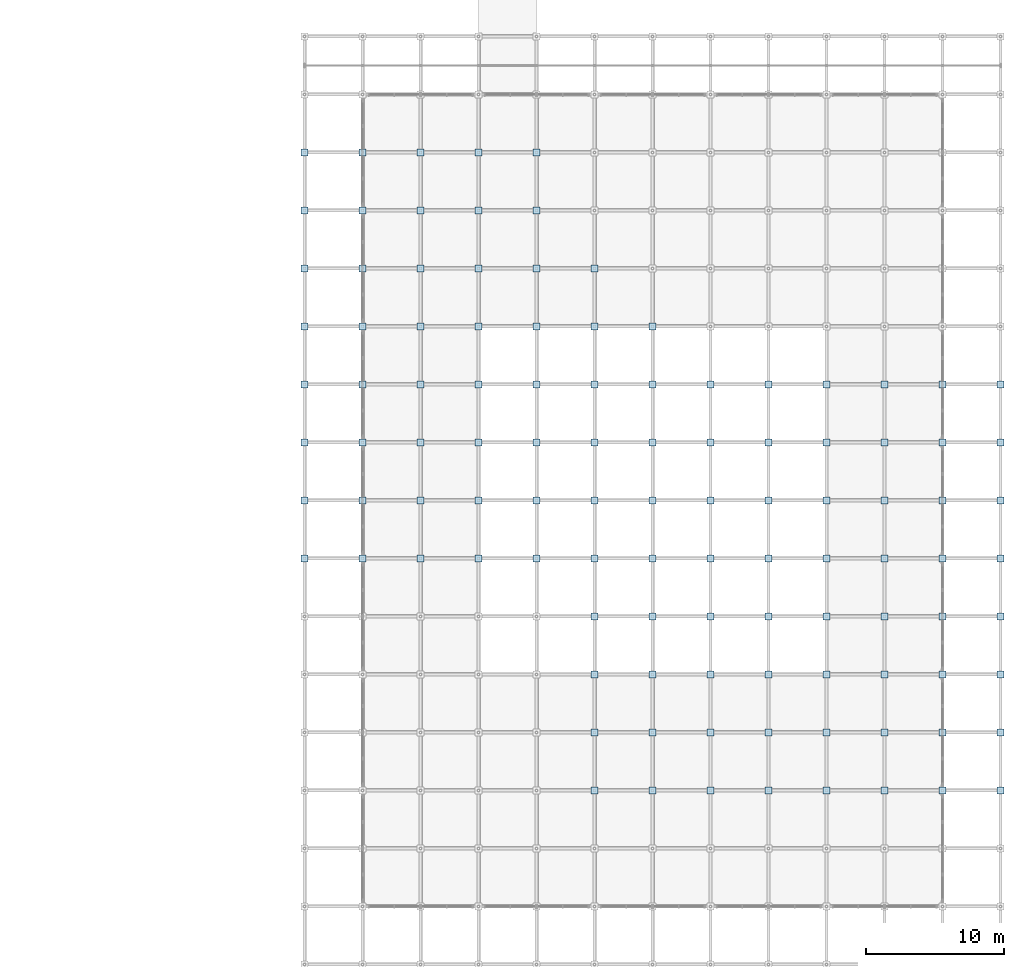
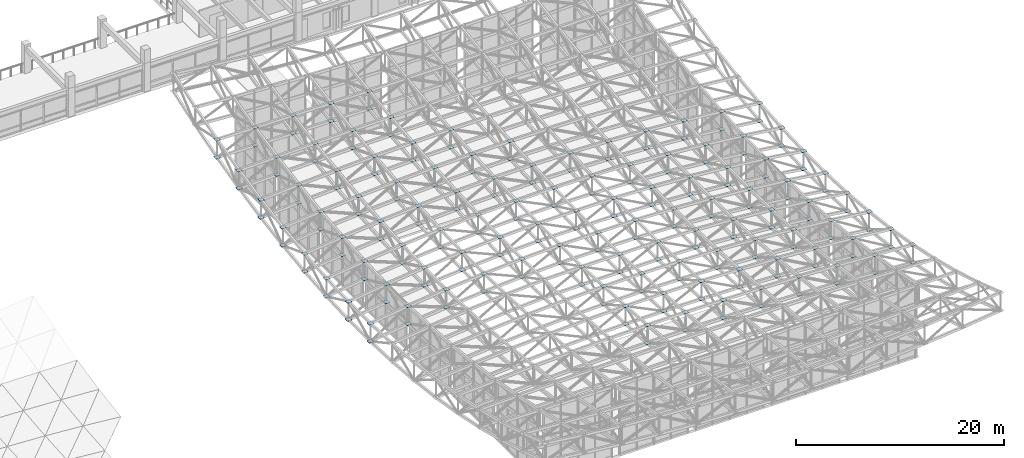
# One storey, part 77 of 123: 214 plates.
"""IFC4 building model written with IfcOpenShell, lengths in metres."""

from ifc_helpers import new_model, si_unit, direction, frame, origin, origin_2d, place, context, subcontext, project, spatial, rectangle, extrude, material, layer, layer_set, type_object, element, save


model = new_model("IFC4")

# Units and contexts
model_context = context("Model", 3, precision=1e-05, world=origin(), true_north=direction((0.0, 1.0)))
body_context = subcontext(model_context, "Body", "Model", "MODEL_VIEW")
ifc_project = project(units=[si_unit("LENGTHUNIT", "METRE"), si_unit("AREAUNIT", "SQUARE_METRE"), si_unit("VOLUMEUNIT", "CUBIC_METRE"), si_unit("PLANEANGLEUNIT", "RADIAN"), si_unit("MASSUNIT", "GRAM", prefix="KILO")], contexts=[model_context])

# Site, building, storey
site_placement = place(None, origin())
site = spatial("IfcSite", under=ifc_project, at=site_placement, CompositionType="ELEMENT")
building_placement = place(site_placement, origin())
building = spatial("IfcBuilding", under=site, at=building_placement, Name="Cumbredor Promenade Congress Hotel", CompositionType="ELEMENT")
storey_placement = place(building_placement, frame((0.0, 0.0, 11.760009765625)))
storey = spatial("IfcBuildingStorey", under=building, at=storey_placement, Name="L03", CompositionType="ELEMENT", Elevation=11.760009765625)

# Plates
ifc_material = material(Name="Steel ASTM A572 Grade 50", Category="steel")
ifc_layer = layer(ifc_material, 0.031982421875, Name="Steel ASTM A572 Grade 50", Category="steel")
ifc_layer_set = layer_set([ifc_layer], Name="Steel ASTM A572 Grade 50")
plate_type = type_object("IfcPlateType", Name="Space Frame Node Assembly ND-02", PredefinedType="USERDEFINED", material=ifc_layer_set)
for number, where, z_axis, x_axis, name in (
    (1, (138.60009765625, 33.60009765625, 4.6357421875), (0.0, 0.0, 1.0), (1.0, 0.0, 0.0), "Grand Ballroom Pavilion Space Frame Top Node 1.9"),
    (2, (138.60009765625, 33.60009765625, 2.53564453125), (0.0, 0.0, 1.0), (1.0, 0.0, 0.0), "Grand Ballroom Pavilion Space Frame Bottom Node 1.9"),
    (3, (138.60009765625, 37.800048828125, 4.6357421875), (0.0, 0.0, 1.0), (1.0, 0.0, 0.0), "Grand Ballroom Pavilion Space Frame Top Node 1.10"),
    (4, (138.60009765625, 37.800048828125, 2.53564453125), (0.0, 0.0, 1.0), (1.0, 0.0, 0.0), "Grand Ballroom Pavilion Space Frame Bottom Node 1.10"),
    (5, (138.60009765625, 42.0, 4.8125), (0.0, 0.0, 1.0), (1.0, 0.0, 0.0), "Grand Ballroom Pavilion Space Frame Top Node 1.11"),
    (6, (138.60009765625, 42.0, 2.71240234375), (0.0, 0.0, 1.0), (1.0, 0.0, 0.0), "Grand Ballroom Pavilion Space Frame Bottom Node 1.11"),
    (7, (138.60009765625, 46.199951171875, 5.166015625), (0.0, 0.0, 1.0), (1.0, 0.0, 0.0), "Grand Ballroom Pavilion Space Frame Top Node 1.12"),
    (8, (138.60009765625, 46.199951171875, 3.06591796875), (0.0, 0.0, 1.0), (1.0, 0.0, 0.0), "Grand Ballroom Pavilion Space Frame Bottom Node 1.12"),
    (9, (138.60009765625, 50.39990234375, 5.6962890625), (0.0, 0.0, 1.0), (1.0, 0.0, 0.0), "Grand Ballroom Pavilion Space Frame Top Node 1.13"),
    (10, (138.60009765625, 50.39990234375, 3.5966796875), (0.0, 0.0, 1.0), (1.0, 0.0, 0.0), "Grand Ballroom Pavilion Space Frame Bottom Node 1.13"),
    (11, (138.60009765625, 54.60009765625, 6.40380859375), (0.0, 0.0, 1.0), (1.0, 0.0, 0.0), "Grand Ballroom Pavilion Space Frame Top Node 1.14"),
    (12, (138.60009765625, 54.60009765625, 4.3037109375), (0.0, 0.0, 1.0), (1.0, 0.0, 0.0), "Grand Ballroom Pavilion Space Frame Bottom Node 1.14"),
    (13, (138.60009765625, 58.800048828125, 7.28759765625), (0.0, 0.0, 1.0), (1.0, 0.0, 0.0), "Grand Ballroom Pavilion Space Frame Top Node 1.15"),
    (14, (138.60009765625, 58.800048828125, 5.1875), (0.0, 0.0, 1.0), (1.0, 0.0, 0.0), "Grand Ballroom Pavilion Space Frame Bottom Node 1.15"),
    (15, (138.60009765625, 63.0, 8.34765625), (0.0, 0.0, 1.0), (1.0, 0.0, 0.0), "Grand Ballroom Pavilion Space Frame Top Node 1.16"),
    (16, (138.60009765625, 63.0, 6.248046875), (0.0, 0.0, 1.0), (1.0, 0.0, 0.0), "Grand Ballroom Pavilion Space Frame Bottom Node 1.16"),
    (17, (142.800048828125, 33.60009765625, 5.21240234375), (0.0, 0.0, 1.0), (1.0, 0.0, 0.0), "Grand Ballroom Pavilion Space Frame Top Node 2.9"),
    (18, (142.800048828125, 33.60009765625, 3.1123046875), (0.0, 0.0, 1.0), (1.0, 0.0, 0.0), "Grand Ballroom Pavilion Space Frame Bottom Node 2.9"),
    (19, (142.800048828125, 37.800048828125, 5.21240234375), (0.0, 0.0, 1.0), (1.0, 0.0, 0.0), "Grand Ballroom Pavilion Space Frame Top Node 2.10"),
    (20, (142.800048828125, 37.800048828125, 3.1123046875), (0.0, 0.0, 1.0), (1.0, 0.0, 0.0), "Grand Ballroom Pavilion Space Frame Bottom Node 2.10"),
    (21, (142.800048828125, 42.0, 5.3583984375), (0.0, 0.0, 1.0), (1.0, 0.0, 0.0), "Grand Ballroom Pavilion Space Frame Top Node 2.11"),
    (22, (142.800048828125, 42.0, 3.2587890625), (0.0, 0.0, 1.0), (1.0, 0.0, 0.0), "Grand Ballroom Pavilion Space Frame Bottom Node 2.11"),
    (23, (142.800048828125, 46.199951171875, 5.6513671875), (0.0, 0.0, 1.0), (1.0, 0.0, 0.0), "Grand Ballroom Pavilion Space Frame Top Node 2.12"),
    (24, (142.800048828125, 46.199951171875, 3.55126953125), (0.0, 0.0, 1.0), (1.0, 0.0, 0.0), "Grand Ballroom Pavilion Space Frame Bottom Node 2.12"),
    (25, (142.800048828125, 50.39990234375, 6.0908203125), (0.0, 0.0, 1.0), (1.0, 0.0, 0.0), "Grand Ballroom Pavilion Space Frame Top Node 2.13"),
    (26, (142.800048828125, 50.39990234375, 3.99072265625), (0.0, 0.0, 1.0), (1.0, 0.0, 0.0), "Grand Ballroom Pavilion Space Frame Bottom Node 2.13"),
    (27, (142.800048828125, 54.60009765625, 6.67578125), (0.0, 0.0, 1.0), (1.0, 0.0, 0.0), "Grand Ballroom Pavilion Space Frame Top Node 2.14"),
    (28, (142.800048828125, 54.60009765625, 4.576171875), (0.0, 0.0, 1.0), (1.0, 0.0, 0.0), "Grand Ballroom Pavilion Space Frame Bottom Node 2.14"),
    (29, (142.800048828125, 58.800048828125, 7.40771484375), (0.0, 0.0, 1.0), (1.0, 0.0, 0.0), "Grand Ballroom Pavilion Space Frame Top Node 2.15"),
    (30, (142.800048828125, 58.800048828125, 5.3076171875), (0.0, 0.0, 1.0), (1.0, 0.0, 0.0), "Grand Ballroom Pavilion Space Frame Bottom Node 2.15"),
    (31, (142.800048828125, 63.0, 8.28515625), (0.0, 0.0, 1.0), (1.0, 0.0, 0.0), "Grand Ballroom Pavilion Space Frame Top Node 2.16"),
    (32, (142.800048828125, 63.0, 6.18505859375), (0.0, 0.0, 1.0), (1.0, 0.0, 0.0), "Grand Ballroom Pavilion Space Frame Bottom Node 2.16"),
    (33, (147.0, 33.60009765625, 5.68505859375), (0.0, 0.0, 1.0), (1.0, 0.0, 0.0), "Grand Ballroom Pavilion Space Frame Top Node 3.9"),
    (34, (147.0, 33.60009765625, 3.5849609375), (0.0, 0.0, 1.0), (1.0, 0.0, 0.0), "Grand Ballroom Pavilion Space Frame Bottom Node 3.9"),
    (35, (147.0, 37.800048828125, 5.68505859375), (0.0, 0.0, 1.0), (1.0, 0.0, 0.0), "Grand Ballroom Pavilion Space Frame Top Node 3.10"),
    (36, (147.0, 37.800048828125, 3.5849609375), (0.0, 0.0, 1.0), (1.0, 0.0, 0.0), "Grand Ballroom Pavilion Space Frame Bottom Node 3.10"),
    (37, (147.0, 42.0, 5.806640625), (0.0, 0.0, 1.0), (1.0, 0.0, 0.0), "Grand Ballroom Pavilion Space Frame Top Node 3.11"),
    (38, (147.0, 42.0, 3.70654296875), (0.0, 0.0, 1.0), (1.0, 0.0, 0.0), "Grand Ballroom Pavilion Space Frame Bottom Node 3.11"),
    (39, (147.0, 46.199951171875, 6.0498046875), (0.0, 0.0, 1.0), (1.0, 0.0, 0.0), "Grand Ballroom Pavilion Space Frame Top Node 3.12"),
    (40, (147.0, 46.199951171875, 3.94970703125), (0.0, 0.0, 1.0), (1.0, 0.0, 0.0), "Grand Ballroom Pavilion Space Frame Bottom Node 3.12"),
    (41, (147.0, 50.39990234375, 6.41455078125), (0.0, 0.0, 1.0), (1.0, 0.0, 0.0), "Grand Ballroom Pavilion Space Frame Top Node 3.13"),
    (42, (147.0, 50.39990234375, 4.314453125), (0.0, 0.0, 1.0), (1.0, 0.0, 0.0), "Grand Ballroom Pavilion Space Frame Bottom Node 3.13"),
    (43, (147.0, 54.60009765625, 6.90087890625), (0.0, 0.0, 1.0), (1.0, 0.0, 0.0), "Grand Ballroom Pavilion Space Frame Top Node 3.14"),
    (44, (147.0, 54.60009765625, 4.80078125), (0.0, 0.0, 1.0), (1.0, 0.0, 0.0), "Grand Ballroom Pavilion Space Frame Bottom Node 3.14"),
    (45, (147.0, 58.800048828125, 7.50830078125), (0.0, 0.0, 1.0), (1.0, 0.0, 0.0), "Grand Ballroom Pavilion Space Frame Top Node 3.15"),
    (46, (147.0, 58.800048828125, 5.408203125), (0.0, 0.0, 1.0), (1.0, 0.0, 0.0), "Grand Ballroom Pavilion Space Frame Bottom Node 3.15"),
    (47, (147.0, 63.0, 8.2373046875), (0.0, 0.0, 1.0), (1.0, 0.0, 0.0), "Grand Ballroom Pavilion Space Frame Top Node 3.16"),
    (48, (147.0, 63.0, 6.13720703125), (0.0, 0.0, 1.0), (1.0, 0.0, 0.0), "Grand Ballroom Pavilion Space Frame Bottom Node 3.16"),
    (49, (151.199951171875, 33.60009765625, 6.052734375), (0.0, 0.0, 1.0), (1.0, 0.0, 0.0), "Grand Ballroom Pavilion Space Frame Top Node 4.9"),
    (50, (151.199951171875, 33.60009765625, 3.95263671875), (0.0, 0.0, 1.0), (1.0, 0.0, 0.0), "Grand Ballroom Pavilion Space Frame Bottom Node 4.9"),
    (51, (151.199951171875, 37.800048828125, 6.052734375), (0.0, 0.0, 1.0), (1.0, 0.0, 0.0), "Grand Ballroom Pavilion Space Frame Top Node 4.10"),
    (52, (151.199951171875, 37.800048828125, 3.95263671875), (0.0, 0.0, 1.0), (1.0, 0.0, 0.0), "Grand Ballroom Pavilion Space Frame Bottom Node 4.10"),
    (53, (151.199951171875, 42.0, 6.15478515625), (0.0, 0.0, 1.0), (1.0, 0.0, 0.0), "Grand Ballroom Pavilion Space Frame Top Node 4.11"),
    (54, (151.199951171875, 42.0, 4.0546875), (0.0, 0.0, 1.0), (1.0, 0.0, 0.0), "Grand Ballroom Pavilion Space Frame Bottom Node 4.11"),
    (55, (151.199951171875, 46.199951171875, 6.359375), (0.0, 0.0, 1.0), (1.0, 0.0, 0.0), "Grand Ballroom Pavilion Space Frame Top Node 4.12"),
    (56, (151.199951171875, 46.199951171875, 4.25927734375), (0.0, 0.0, 1.0), (1.0, 0.0, 0.0), "Grand Ballroom Pavilion Space Frame Bottom Node 4.12"),
    (57, (151.199951171875, 50.39990234375, 6.666015625), (0.0, 0.0, 1.0), (1.0, 0.0, 0.0), "Grand Ballroom Pavilion Space Frame Top Node 4.13"),
    (58, (151.199951171875, 50.39990234375, 4.56640625), (0.0, 0.0, 1.0), (1.0, 0.0, 0.0), "Grand Ballroom Pavilion Space Frame Bottom Node 4.13"),
    (59, (151.199951171875, 54.60009765625, 7.0751953125), (0.0, 0.0, 1.0), (1.0, 0.0, 0.0), "Grand Ballroom Pavilion Space Frame Top Node 4.14"),
    (60, (151.199951171875, 54.60009765625, 4.97509765625), (0.0, 0.0, 1.0), (1.0, 0.0, 0.0), "Grand Ballroom Pavilion Space Frame Bottom Node 4.14"),
    (61, (151.199951171875, 58.800048828125, 7.58642578125), (0.0, 0.0, 1.0), (1.0, 0.0, 0.0), "Grand Ballroom Pavilion Space Frame Top Node 4.15"),
    (62, (151.199951171875, 58.800048828125, 5.486328125), (0.0, 0.0, 1.0), (1.0, 0.0, 0.0), "Grand Ballroom Pavilion Space Frame Bottom Node 4.15"),
    (63, (151.199951171875, 63.0, 8.19970703125), (0.0, 0.0, 1.0), (1.0, 0.0, 0.0), "Grand Ballroom Pavilion Space Frame Top Node 4.16"),
    (64, (151.199951171875, 63.0, 6.099609375), (0.0, 0.0, 1.0), (1.0, 0.0, 0.0), "Grand Ballroom Pavilion Space Frame Bottom Node 4.16"),
    (65, (155.39990234375, 33.60009765625, 6.3154296875), (0.0, 0.0, 1.0), (1.0, 0.0, 0.0), "Grand Ballroom Pavilion Space Frame Top Node 5.9"),
    (66, (155.39990234375, 33.60009765625, 4.21533203125), (0.0, 0.0, 1.0), (1.0, 0.0, 0.0), "Grand Ballroom Pavilion Space Frame Bottom Node 5.9"),
    (67, (155.39990234375, 37.800048828125, 6.3154296875), (0.0, 0.0, 1.0), (1.0, 0.0, 0.0), "Grand Ballroom Pavilion Space Frame Top Node 5.10"),
    (68, (155.39990234375, 37.800048828125, 4.21533203125), (0.0, 0.0, 1.0), (1.0, 0.0, 0.0), "Grand Ballroom Pavilion Space Frame Bottom Node 5.10"),
    (69, (155.39990234375, 42.0, 6.40380859375), (0.0, 0.0, 1.0), (1.0, 0.0, 0.0), "Grand Ballroom Pavilion Space Frame Top Node 5.11"),
    (70, (155.39990234375, 42.0, 4.3037109375), (0.0, 0.0, 1.0), (1.0, 0.0, 0.0), "Grand Ballroom Pavilion Space Frame Bottom Node 5.11"),
    (71, (155.39990234375, 46.199951171875, 6.58056640625), (0.0, 0.0, 1.0), (1.0, 0.0, 0.0), "Grand Ballroom Pavilion Space Frame Top Node 5.12"),
    (72, (155.39990234375, 46.199951171875, 4.48046875), (0.0, 0.0, 1.0), (1.0, 0.0, 0.0), "Grand Ballroom Pavilion Space Frame Bottom Node 5.12"),
    (73, (155.39990234375, 50.39990234375, 6.84619140625), (0.0, 0.0, 1.0), (1.0, 0.0, 0.0), "Grand Ballroom Pavilion Space Frame Top Node 5.13"),
    (74, (155.39990234375, 50.39990234375, 4.74609375), (0.0, 0.0, 1.0), (1.0, 0.0, 0.0), "Grand Ballroom Pavilion Space Frame Bottom Node 5.13"),
    (75, (155.39990234375, 54.60009765625, 7.19970703125), (0.0, 0.0, 1.0), (1.0, 0.0, 0.0), "Grand Ballroom Pavilion Space Frame Top Node 5.14"),
    (76, (155.39990234375, 54.60009765625, 5.099609375), (0.0, 0.0, 1.0), (1.0, 0.0, 0.0), "Grand Ballroom Pavilion Space Frame Bottom Node 5.14"),
    (77, (155.39990234375, 58.800048828125, 7.64208984375), (0.0, 0.0, 1.0), (1.0, 0.0, 0.0), "Grand Ballroom Pavilion Space Frame Top Node 5.15"),
    (78, (155.39990234375, 58.800048828125, 5.5419921875), (0.0, 0.0, 1.0), (1.0, 0.0, 0.0), "Grand Ballroom Pavilion Space Frame Bottom Node 5.15"),
    (79, (155.39990234375, 63.0, 8.17236328125), (0.0, 0.0, 1.0), (1.0, 0.0, 0.0), "Grand Ballroom Pavilion Space Frame Top Node 5.16"),
    (80, (155.39990234375, 63.0, 6.07275390625), (0.0, 0.0, 1.0), (1.0, 0.0, 0.0), "Grand Ballroom Pavilion Space Frame Bottom Node 5.16"),
    (81, (159.60009765625, 16.800048828125, 7.2744140625), (0.0, 0.0, 1.0), (1.0, 0.0, 0.0), "Grand Ballroom Pavilion Space Frame Top Node 6.5"),
    (82, (159.60009765625, 16.800048828125, 5.1748046875), (0.0, 0.0, 1.0), (1.0, 0.0, 0.0), "Grand Ballroom Pavilion Space Frame Bottom Node 6.5"),
    (83, (159.60009765625, 21.0, 6.9541015625), (0.0, 0.0, 1.0), (1.0, 0.0, 0.0), "Grand Ballroom Pavilion Space Frame Top Node 6.6"),
    (84, (159.60009765625, 21.0, 4.85400390625), (0.0, 0.0, 1.0), (1.0, 0.0, 0.0), "Grand Ballroom Pavilion Space Frame Bottom Node 6.6"),
    (85, (159.60009765625, 25.199951171875, 6.71337890625), (0.0, 0.0, 1.0), (1.0, 0.0, 0.0), "Grand Ballroom Pavilion Space Frame Top Node 6.7"),
    (86, (159.60009765625, 25.199951171875, 4.61328125), (0.0, 0.0, 1.0), (1.0, 0.0, 0.0), "Grand Ballroom Pavilion Space Frame Bottom Node 6.7"),
    (87, (159.60009765625, 29.39990234375, 6.47265625), (0.0, 0.0, 1.0), (1.0, 0.0, 0.0), "Grand Ballroom Pavilion Space Frame Top Node 6.8"),
    (88, (159.60009765625, 29.39990234375, 4.37255859375), (0.0, 0.0, 1.0), (1.0, 0.0, 0.0), "Grand Ballroom Pavilion Space Frame Bottom Node 6.8"),
    (89, (159.60009765625, 33.60009765625, 6.47314453125), (0.0, 0.0, 1.0), (1.0, 0.0, 0.0), "Grand Ballroom Pavilion Space Frame Top Node 6.9"),
    (90, (159.60009765625, 33.60009765625, 4.373046875), (0.0, 0.0, 1.0), (1.0, 0.0, 0.0), "Grand Ballroom Pavilion Space Frame Bottom Node 6.9"),
    (91, (159.60009765625, 37.800048828125, 6.47314453125), (0.0, 0.0, 1.0), (1.0, 0.0, 0.0), "Grand Ballroom Pavilion Space Frame Top Node 6.10"),
    (92, (159.60009765625, 37.800048828125, 4.373046875), (0.0, 0.0, 1.0), (1.0, 0.0, 0.0), "Grand Ballroom Pavilion Space Frame Bottom Node 6.10"),
    (93, (159.60009765625, 42.0, 6.55322265625), (0.0, 0.0, 1.0), (1.0, 0.0, 0.0), "Grand Ballroom Pavilion Space Frame Top Node 6.11"),
    (94, (159.60009765625, 42.0, 4.453125), (0.0, 0.0, 1.0), (1.0, 0.0, 0.0), "Grand Ballroom Pavilion Space Frame Bottom Node 6.11"),
    (95, (159.60009765625, 46.199951171875, 6.71337890625), (0.0, 0.0, 1.0), (1.0, 0.0, 0.0), "Grand Ballroom Pavilion Space Frame Top Node 6.12"),
    (96, (159.60009765625, 46.199951171875, 4.61328125), (0.0, 0.0, 1.0), (1.0, 0.0, 0.0), "Grand Ballroom Pavilion Space Frame Bottom Node 6.12"),
    (97, (159.60009765625, 50.39990234375, 6.9541015625), (0.0, 0.0, 1.0), (1.0, 0.0, 0.0), "Grand Ballroom Pavilion Space Frame Top Node 6.13"),
    (98, (159.60009765625, 50.39990234375, 4.85400390625), (0.0, 0.0, 1.0), (1.0, 0.0, 0.0), "Grand Ballroom Pavilion Space Frame Bottom Node 6.13"),
    (99, (159.60009765625, 54.60009765625, 7.2744140625), (0.0, 0.0, 1.0), (1.0, 0.0, 0.0), "Grand Ballroom Pavilion Space Frame Top Node 6.14"),
    (100, (159.60009765625, 54.60009765625, 5.1748046875), (0.0, 0.0, 1.0), (1.0, 0.0, 0.0), "Grand Ballroom Pavilion Space Frame Bottom Node 6.14"),
    (101, (163.800048828125, 16.800048828125, 7.2998046875), (0.0, 0.0, 1.0), (1.0, 0.0, 0.0), "Grand Ballroom Pavilion Space Frame Top Node 7.5"),
    (102, (163.800048828125, 16.800048828125, 5.19970703125), (0.0, 0.0, 1.0), (1.0, 0.0, 0.0), "Grand Ballroom Pavilion Space Frame Bottom Node 7.5"),
    (103, (163.800048828125, 21.0, 6.990234375), (0.0, 0.0, 1.0), (1.0, 0.0, 0.0), "Grand Ballroom Pavilion Space Frame Top Node 7.6"),
    (104, (163.800048828125, 21.0, 4.89013671875), (0.0, 0.0, 1.0), (1.0, 0.0, 0.0), "Grand Ballroom Pavilion Space Frame Bottom Node 7.6"),
    (105, (163.800048828125, 25.199951171875, 6.7578125), (0.0, 0.0, 1.0), (1.0, 0.0, 0.0), "Grand Ballroom Pavilion Space Frame Top Node 7.7"),
    (106, (163.800048828125, 25.199951171875, 4.65771484375), (0.0, 0.0, 1.0), (1.0, 0.0, 0.0), "Grand Ballroom Pavilion Space Frame Bottom Node 7.7"),
    (107, (163.800048828125, 29.39990234375, 6.47265625), (0.0, 0.0, 1.0), (1.0, 0.0, 0.0), "Grand Ballroom Pavilion Space Frame Top Node 7.8"),
    (108, (163.800048828125, 29.39990234375, 4.37255859375), (0.0, 0.0, 1.0), (1.0, 0.0, 0.0), "Grand Ballroom Pavilion Space Frame Bottom Node 7.8"),
    (109, (163.800048828125, 33.60009765625, 6.47314453125), (0.0, 0.0, 1.0), (1.0, 0.0, 0.0), "Grand Ballroom Pavilion Space Frame Top Node 7.9"),
    (110, (163.800048828125, 33.60009765625, 4.37353515625), (0.0, 0.0, 1.0), (1.0, 0.0, 0.0), "Grand Ballroom Pavilion Space Frame Bottom Node 7.9"),
    (111, (163.800048828125, 37.800048828125, 6.47314453125), (0.0, 0.0, 1.0), (1.0, 0.0, 0.0), "Grand Ballroom Pavilion Space Frame Top Node 7.10"),
    (112, (163.800048828125, 37.800048828125, 4.373046875), (0.0, 0.0, 1.0), (1.0, 0.0, 0.0), "Grand Ballroom Pavilion Space Frame Bottom Node 7.10"),
    (113, (163.800048828125, 42.0, 6.60302734375), (0.0, 0.0, 1.0), (1.0, 0.0, 0.0), "Grand Ballroom Pavilion Space Frame Top Node 7.11"),
    (114, (163.800048828125, 42.0, 4.5029296875), (0.0, 0.0, 1.0), (1.0, 0.0, 0.0), "Grand Ballroom Pavilion Space Frame Bottom Node 7.11"),
    (115, (163.800048828125, 46.199951171875, 6.7578125), (0.0, 0.0, 1.0), (1.0, 0.0, 0.0), "Grand Ballroom Pavilion Space Frame Top Node 7.12"),
    (116, (163.800048828125, 46.199951171875, 4.65771484375), (0.0, 0.0, 1.0), (1.0, 0.0, 0.0), "Grand Ballroom Pavilion Space Frame Bottom Node 7.12"),
    (117, (163.800048828125, 50.39990234375, 6.990234375), (0.0, 0.0, 1.0), (1.0, 0.0, 0.0), "Grand Ballroom Pavilion Space Frame Top Node 7.13"),
    (118, (163.800048828125, 50.39990234375, 4.89013671875), (0.0, 0.0, 1.0), (1.0, 0.0, 0.0), "Grand Ballroom Pavilion Space Frame Bottom Node 7.13"),
    (119, (168.0, 16.800048828125, 7.2744140625), (0.0, 0.0, 1.0), (1.0, 0.0, 0.0), "Grand Ballroom Pavilion Space Frame Top Node 8.5"),
    (120, (168.0, 16.800048828125, 5.1748046875), (0.0, 0.0, 1.0), (1.0, 0.0, 0.0), "Grand Ballroom Pavilion Space Frame Bottom Node 8.5"),
    (121, (168.0, 21.0, 6.9541015625), (0.0, 0.0, 1.0), (1.0, 0.0, 0.0), "Grand Ballroom Pavilion Space Frame Top Node 8.6"),
    (122, (168.0, 21.0, 4.85400390625), (0.0, 0.0, 1.0), (1.0, 0.0, 0.0), "Grand Ballroom Pavilion Space Frame Bottom Node 8.6"),
    (123, (168.0, 25.199951171875, 6.71337890625), (0.0, 0.0, 1.0), (1.0, 0.0, 0.0), "Grand Ballroom Pavilion Space Frame Top Node 8.7"),
    (124, (168.0, 25.199951171875, 4.61328125), (0.0, 0.0, 1.0), (1.0, 0.0, 0.0), "Grand Ballroom Pavilion Space Frame Bottom Node 8.7"),
    (125, (168.0, 29.39990234375, 6.47265625), (0.0, 0.0, 1.0), (1.0, 0.0, 0.0), "Grand Ballroom Pavilion Space Frame Top Node 8.8"),
    (126, (168.0, 29.39990234375, 4.37255859375), (0.0, 0.0, 1.0), (1.0, 0.0, 0.0), "Grand Ballroom Pavilion Space Frame Bottom Node 8.8"),
    (127, (168.0, 33.60009765625, 6.47314453125), (0.0, 0.0, 1.0), (1.0, 0.0, 0.0), "Grand Ballroom Pavilion Space Frame Top Node 8.9"),
    (128, (168.0, 33.60009765625, 4.373046875), (0.0, 0.0, 1.0), (1.0, 0.0, 0.0), "Grand Ballroom Pavilion Space Frame Bottom Node 8.9"),
    (129, (168.0, 37.800048828125, 6.47314453125), (0.0, 0.0, 1.0), (1.0, 0.0, 0.0), "Grand Ballroom Pavilion Space Frame Top Node 8.10"),
    (130, (168.0, 37.800048828125, 4.373046875), (0.0, 0.0, 1.0), (1.0, 0.0, 0.0), "Grand Ballroom Pavilion Space Frame Bottom Node 8.10"),
    (131, (168.0, 42.0, 6.55322265625), (0.0, 0.0, 1.0), (1.0, 0.0, 0.0), "Grand Ballroom Pavilion Space Frame Top Node 8.11"),
    (132, (168.0, 42.0, 4.453125), (0.0, 0.0, 1.0), (1.0, 0.0, 0.0), "Grand Ballroom Pavilion Space Frame Bottom Node 8.11"),
    (133, (168.0, 46.199951171875, 6.71337890625), (0.0, 0.0, 1.0), (1.0, 0.0, 0.0), "Grand Ballroom Pavilion Space Frame Top Node 8.12"),
    (134, (168.0, 46.199951171875, 4.61328125), (0.0, 0.0, 1.0), (1.0, 0.0, 0.0), "Grand Ballroom Pavilion Space Frame Bottom Node 8.12"),
    (135, (172.199951171875, 16.800048828125, 7.19970703125), (0.0, 0.0, 1.0), (1.0, 0.0, 0.0), "Grand Ballroom Pavilion Space Frame Top Node 9.5"),
    (136, (172.199951171875, 16.800048828125, 5.099609375), (0.0, 0.0, 1.0), (1.0, 0.0, 0.0), "Grand Ballroom Pavilion Space Frame Bottom Node 9.5"),
    (137, (172.199951171875, 21.0, 6.84619140625), (0.0, 0.0, 1.0), (1.0, 0.0, 0.0), "Grand Ballroom Pavilion Space Frame Top Node 9.6"),
    (138, (172.199951171875, 21.0, 4.74609375), (0.0, 0.0, 1.0), (1.0, 0.0, 0.0), "Grand Ballroom Pavilion Space Frame Bottom Node 9.6"),
    (139, (172.199951171875, 25.199951171875, 6.58056640625), (0.0, 0.0, 1.0), (1.0, 0.0, 0.0), "Grand Ballroom Pavilion Space Frame Top Node 9.7"),
    (140, (172.199951171875, 25.199951171875, 4.48046875), (0.0, 0.0, 1.0), (1.0, 0.0, 0.0), "Grand Ballroom Pavilion Space Frame Bottom Node 9.7"),
    (141, (172.199951171875, 29.39990234375, 6.40380859375), (0.0, 0.0, 1.0), (1.0, 0.0, 0.0), "Grand Ballroom Pavilion Space Frame Top Node 9.8"),
    (142, (172.199951171875, 29.39990234375, 4.3037109375), (0.0, 0.0, 1.0), (1.0, 0.0, 0.0), "Grand Ballroom Pavilion Space Frame Bottom Node 9.8"),
    (143, (172.199951171875, 33.60009765625, 6.3154296875), (0.0, 0.0, 1.0), (1.0, 0.0, 0.0), "Grand Ballroom Pavilion Space Frame Top Node 9.9"),
    (144, (172.199951171875, 33.60009765625, 4.21533203125), (0.0, 0.0, 1.0), (1.0, 0.0, 0.0), "Grand Ballroom Pavilion Space Frame Bottom Node 9.9"),
    (145, (172.199951171875, 37.800048828125, 6.3154296875), (0.0, 0.0, 1.0), (1.0, 0.0, 0.0), "Grand Ballroom Pavilion Space Frame Top Node 9.10"),
    (146, (172.199951171875, 37.800048828125, 4.21533203125), (0.0, 0.0, 1.0), (1.0, 0.0, 0.0), "Grand Ballroom Pavilion Space Frame Bottom Node 9.10"),
    (147, (172.199951171875, 42.0, 6.40380859375), (0.0, 0.0, 1.0), (1.0, 0.0, 0.0), "Grand Ballroom Pavilion Space Frame Top Node 9.11"),
    (148, (172.199951171875, 42.0, 4.3037109375), (0.0, 0.0, 1.0), (1.0, 0.0, 0.0), "Grand Ballroom Pavilion Space Frame Bottom Node 9.11"),
    (149, (172.199951171875, 46.199951171875, 6.58056640625), (0.0, 0.0, 1.0), (1.0, 0.0, 0.0), "Grand Ballroom Pavilion Space Frame Top Node 9.12"),
    (150, (172.199951171875, 46.199951171875, 4.48046875), (0.0, 0.0, 1.0), (1.0, 0.0, 0.0), "Grand Ballroom Pavilion Space Frame Bottom Node 9.12"),
    (151, (176.39990234375, 16.800048828125, 7.0751953125), (0.0, 0.0, 1.0), (1.0, 0.0, 0.0), "Grand Ballroom Pavilion Space Frame Top Node 10.5"),
    (152, (176.39990234375, 16.800048828125, 4.97509765625), (0.0, 0.0, 1.0), (1.0, 0.0, 0.0), "Grand Ballroom Pavilion Space Frame Bottom Node 10.5"),
    (153, (176.39990234375, 21.0, 6.666015625), (0.0, 0.0, 1.0), (1.0, 0.0, 0.0), "Grand Ballroom Pavilion Space Frame Top Node 10.6"),
    (154, (176.39990234375, 21.0, 4.56640625), (0.0, 0.0, 1.0), (1.0, 0.0, 0.0), "Grand Ballroom Pavilion Space Frame Bottom Node 10.6"),
    (155, (176.39990234375, 25.199951171875, 6.359375), (0.0, 0.0, 1.0), (1.0, 0.0, 0.0), "Grand Ballroom Pavilion Space Frame Top Node 10.7"),
    (156, (176.39990234375, 25.199951171875, 4.25927734375), (0.0, 0.0, 1.0), (1.0, 0.0, 0.0), "Grand Ballroom Pavilion Space Frame Bottom Node 10.7"),
    (157, (176.39990234375, 29.39990234375, 6.15478515625), (0.0, 0.0, 1.0), (1.0, 0.0, 0.0), "Grand Ballroom Pavilion Space Frame Top Node 10.8"),
    (158, (176.39990234375, 29.39990234375, 4.0546875), (0.0, 0.0, 1.0), (1.0, 0.0, 0.0), "Grand Ballroom Pavilion Space Frame Bottom Node 10.8"),
    (159, (176.39990234375, 33.60009765625, 6.052734375), (0.0, 0.0, 1.0), (1.0, 0.0, 0.0), "Grand Ballroom Pavilion Space Frame Top Node 10.9"),
    (160, (176.39990234375, 33.60009765625, 3.95263671875), (0.0, 0.0, 1.0), (1.0, 0.0, 0.0), "Grand Ballroom Pavilion Space Frame Bottom Node 10.9"),
    (161, (176.39990234375, 37.800048828125, 6.052734375), (0.0, 0.0, 1.0), (1.0, 0.0, 0.0), "Grand Ballroom Pavilion Space Frame Top Node 10.10"),
    (162, (176.39990234375, 37.800048828125, 3.95263671875), (0.0, 0.0, 1.0), (1.0, 0.0, 0.0), "Grand Ballroom Pavilion Space Frame Bottom Node 10.10"),
    (163, (176.39990234375, 42.0, 6.15478515625), (0.0, 0.0, 1.0), (1.0, 0.0, 0.0), "Grand Ballroom Pavilion Space Frame Top Node 10.11"),
    (164, (176.39990234375, 42.0, 4.0546875), (0.0, 0.0, 1.0), (1.0, 0.0, 0.0), "Grand Ballroom Pavilion Space Frame Bottom Node 10.11"),
    (165, (176.39990234375, 46.199951171875, 6.359375), (0.0, 0.0, 1.0), (1.0, 0.0, 0.0), "Grand Ballroom Pavilion Space Frame Top Node 10.12"),
    (166, (176.39990234375, 46.199951171875, 4.25927734375), (0.0, 0.0, 1.0), (1.0, 0.0, 0.0), "Grand Ballroom Pavilion Space Frame Bottom Node 10.12"),
    (167, (180.60009765625, 16.800048828125, 6.90087890625), (0.0, 0.0, 1.0), (1.0, 0.0, 0.0), "Grand Ballroom Pavilion Space Frame Top Node 11.5"),
    (168, (180.60009765625, 16.800048828125, 4.80078125), (0.0, 0.0, 1.0), (1.0, 0.0, 0.0), "Grand Ballroom Pavilion Space Frame Bottom Node 11.5"),
    (169, (180.60009765625, 21.0, 6.41455078125), (0.0, 0.0, 1.0), (1.0, 0.0, 0.0), "Grand Ballroom Pavilion Space Frame Top Node 11.6"),
    (170, (180.60009765625, 21.0, 4.314453125), (0.0, 0.0, 1.0), (1.0, 0.0, 0.0), "Grand Ballroom Pavilion Space Frame Bottom Node 11.6"),
    (171, (180.60009765625, 25.199951171875, 6.0498046875), (0.0, 0.0, 1.0), (1.0, 0.0, 0.0), "Grand Ballroom Pavilion Space Frame Top Node 11.7"),
    (172, (180.60009765625, 25.199951171875, 3.94970703125), (0.0, 0.0, 1.0), (1.0, 0.0, 0.0), "Grand Ballroom Pavilion Space Frame Bottom Node 11.7"),
    (173, (180.60009765625, 29.39990234375, 5.806640625), (0.0, 0.0, 1.0), (1.0, 0.0, 0.0), "Grand Ballroom Pavilion Space Frame Top Node 11.8"),
    (174, (180.60009765625, 29.39990234375, 3.70654296875), (0.0, 0.0, 1.0), (1.0, 0.0, 0.0), "Grand Ballroom Pavilion Space Frame Bottom Node 11.8"),
    (175, (180.60009765625, 33.60009765625, 5.68505859375), (0.0, 0.0, 1.0), (1.0, 0.0, 0.0), "Grand Ballroom Pavilion Space Frame Top Node 11.9"),
    (176, (180.60009765625, 33.60009765625, 3.5849609375), (0.0, 0.0, 1.0), (1.0, 0.0, 0.0), "Grand Ballroom Pavilion Space Frame Bottom Node 11.9"),
    (177, (180.60009765625, 37.800048828125, 5.68505859375), (0.0, 0.0, 1.0), (1.0, 0.0, 0.0), "Grand Ballroom Pavilion Space Frame Top Node 11.10"),
    (178, (180.60009765625, 37.800048828125, 3.5849609375), (0.0, 0.0, 1.0), (1.0, 0.0, 0.0), "Grand Ballroom Pavilion Space Frame Bottom Node 11.10"),
    (179, (180.60009765625, 42.0, 5.806640625), (0.0, 0.0, 1.0), (1.0, 0.0, 0.0), "Grand Ballroom Pavilion Space Frame Top Node 11.11"),
    (180, (180.60009765625, 42.0, 3.70654296875), (0.0, 0.0, 1.0), (1.0, 0.0, 0.0), "Grand Ballroom Pavilion Space Frame Bottom Node 11.11"),
    (181, (180.60009765625, 46.199951171875, 6.0498046875), (0.0, 0.0, 1.0), (1.0, 0.0, 0.0), "Grand Ballroom Pavilion Space Frame Top Node 11.12"),
    (182, (180.60009765625, 46.199951171875, 3.94970703125), (0.0, 0.0, 1.0), (1.0, 0.0, 0.0), "Grand Ballroom Pavilion Space Frame Bottom Node 11.12"),
    (183, (184.800048828125, 16.800048828125, 6.67578125), (0.0, 0.0, 1.0), (1.0, 0.0, 0.0), "Grand Ballroom Pavilion Space Frame Top Node 12.5"),
    (184, (184.800048828125, 16.800048828125, 4.576171875), (0.0, 0.0, 1.0), (1.0, 0.0, 0.0), "Grand Ballroom Pavilion Space Frame Bottom Node 12.5"),
    (185, (184.800048828125, 21.0, 6.0908203125), (0.0, 0.0, 1.0), (1.0, 0.0, 0.0), "Grand Ballroom Pavilion Space Frame Top Node 12.6"),
    (186, (184.800048828125, 21.0, 3.99072265625), (0.0, 0.0, 1.0), (1.0, 0.0, 0.0), "Grand Ballroom Pavilion Space Frame Bottom Node 12.6"),
    (187, (184.800048828125, 25.199951171875, 5.6513671875), (0.0, 0.0, 1.0), (1.0, 0.0, 0.0), "Grand Ballroom Pavilion Space Frame Top Node 12.7"),
    (188, (184.800048828125, 25.199951171875, 3.55126953125), (0.0, 0.0, 1.0), (1.0, 0.0, 0.0), "Grand Ballroom Pavilion Space Frame Bottom Node 12.7"),
    (189, (184.800048828125, 29.39990234375, 5.3583984375), (0.0, 0.0, 1.0), (1.0, 0.0, 0.0), "Grand Ballroom Pavilion Space Frame Top Node 12.8"),
    (190, (184.800048828125, 29.39990234375, 3.2587890625), (0.0, 0.0, 1.0), (1.0, 0.0, 0.0), "Grand Ballroom Pavilion Space Frame Bottom Node 12.8"),
    (191, (184.800048828125, 33.60009765625, 5.21240234375), (0.0, 0.0, 1.0), (1.0, 0.0, 0.0), "Grand Ballroom Pavilion Space Frame Top Node 12.9"),
    (192, (184.800048828125, 33.60009765625, 3.1123046875), (0.0, 0.0, 1.0), (1.0, 0.0, 0.0), "Grand Ballroom Pavilion Space Frame Bottom Node 12.9"),
    (193, (184.800048828125, 37.800048828125, 5.21240234375), (0.0, 0.0, 1.0), (1.0, 0.0, 0.0), "Grand Ballroom Pavilion Space Frame Top Node 12.10"),
    (194, (184.800048828125, 37.800048828125, 3.1123046875), (0.0, 0.0, 1.0), (1.0, 0.0, 0.0), "Grand Ballroom Pavilion Space Frame Bottom Node 12.10"),
    (195, (184.800048828125, 42.0, 5.3583984375), (0.0, 0.0, 1.0), (1.0, 0.0, 0.0), "Grand Ballroom Pavilion Space Frame Top Node 12.11"),
    (196, (184.800048828125, 42.0, 3.2587890625), (0.0, 0.0, 1.0), (1.0, 0.0, 0.0), "Grand Ballroom Pavilion Space Frame Bottom Node 12.11"),
    (197, (184.800048828125, 46.199951171875, 5.6513671875), (0.0, 0.0, 1.0), (1.0, 0.0, 0.0), "Grand Ballroom Pavilion Space Frame Top Node 12.12"),
    (198, (184.800048828125, 46.199951171875, 3.55126953125), (0.0, 0.0, 1.0), (1.0, 0.0, 0.0), "Grand Ballroom Pavilion Space Frame Bottom Node 12.12"),
    (199, (189.0, 16.800048828125, 6.40380859375), (0.0, 0.0, 1.0), (1.0, 0.0, 0.0), "Grand Ballroom Pavilion Space Frame Top Node 13.5"),
    (200, (189.0, 16.800048828125, 4.3037109375), (0.0, 0.0, 1.0), (1.0, 0.0, 0.0), "Grand Ballroom Pavilion Space Frame Bottom Node 13.5"),
    (201, (189.0, 21.0, 5.6962890625), (0.0, 0.0, 1.0), (1.0, 0.0, 0.0), "Grand Ballroom Pavilion Space Frame Top Node 13.6"),
    (202, (189.0, 21.0, 3.5966796875), (0.0, 0.0, 1.0), (1.0, 0.0, 0.0), "Grand Ballroom Pavilion Space Frame Bottom Node 13.6"),
    (203, (189.0, 25.199951171875, 5.166015625), (0.0, 0.0, 1.0), (1.0, 0.0, 0.0), "Grand Ballroom Pavilion Space Frame Top Node 13.7"),
    (204, (189.0, 25.199951171875, 3.06591796875), (0.0, 0.0, 1.0), (1.0, 0.0, 0.0), "Grand Ballroom Pavilion Space Frame Bottom Node 13.7"),
    (205, (189.0, 29.39990234375, 4.8125), (0.0, 0.0, 1.0), (1.0, 0.0, 0.0), "Grand Ballroom Pavilion Space Frame Top Node 13.8"),
    (206, (189.0, 29.39990234375, 2.71240234375), (0.0, 0.0, 1.0), (1.0, 0.0, 0.0), "Grand Ballroom Pavilion Space Frame Bottom Node 13.8"),
    (207, (189.0, 33.60009765625, 4.6357421875), (0.0, 0.0, 1.0), (1.0, 0.0, 0.0), "Grand Ballroom Pavilion Space Frame Top Node 13.9"),
    (208, (189.0, 33.60009765625, 2.53564453125), (0.0, 0.0, 1.0), (1.0, 0.0, 0.0), "Grand Ballroom Pavilion Space Frame Bottom Node 13.9"),
    (209, (189.0, 37.800048828125, 4.6357421875), (0.0, 0.0, 1.0), (1.0, 0.0, 0.0), "Grand Ballroom Pavilion Space Frame Top Node 13.10"),
    (210, (189.0, 37.800048828125, 2.53564453125), (0.0, 0.0, 1.0), (1.0, 0.0, 0.0), "Grand Ballroom Pavilion Space Frame Bottom Node 13.10"),
    (211, (189.0, 42.0, 4.8125), (0.0, 0.0, 1.0), (1.0, 0.0, 0.0), "Grand Ballroom Pavilion Space Frame Top Node 13.11"),
    (212, (189.0, 42.0, 2.71240234375), (0.0, 0.0, 1.0), (1.0, 0.0, 0.0), "Grand Ballroom Pavilion Space Frame Bottom Node 13.11"),
    (213, (189.0, 46.199951171875, 5.166015625), (0.0, 0.0, 1.0), (1.0, 0.0, 0.0), "Grand Ballroom Pavilion Space Frame Top Node 13.12"),
    (214, (189.0, 46.199951171875, 3.06591796875), (0.0, 0.0, 1.0), (1.0, 0.0, 0.0), "Grand Ballroom Pavilion Space Frame Bottom Node 13.12"),
):
    element("IfcPlate", number, at=place(storey_placement, frame(where, z_axis=z_axis, x_axis=x_axis)), inside=storey, type_object=plate_type, Name=name, ObjectType="GUSSET PLATE", PredefinedType="USERDEFINED", context=body_context, shape_type="SweptSolid", body=[
        extrude(rectangle(XDim=0.5, YDim=0.5, at=origin_2d()), origin(), (0.0, 0.0, 1.0), 0.031982421875),
    ])

save(model, "model.ifc")
